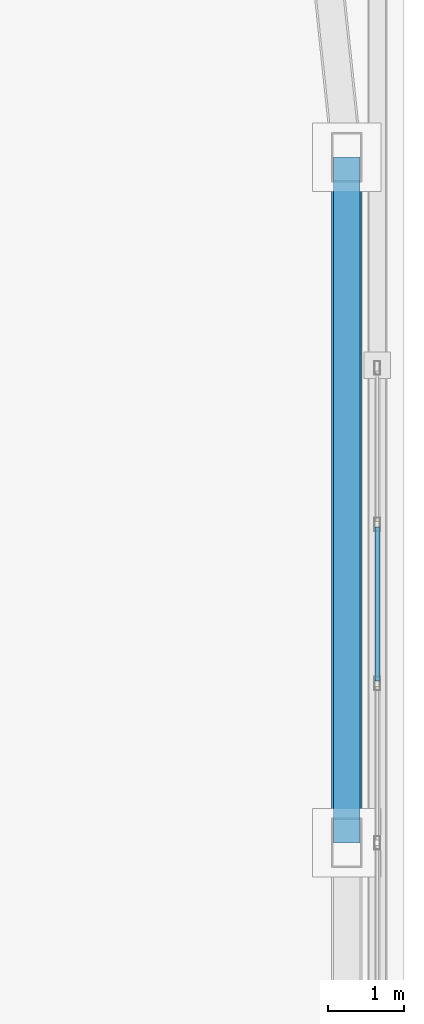
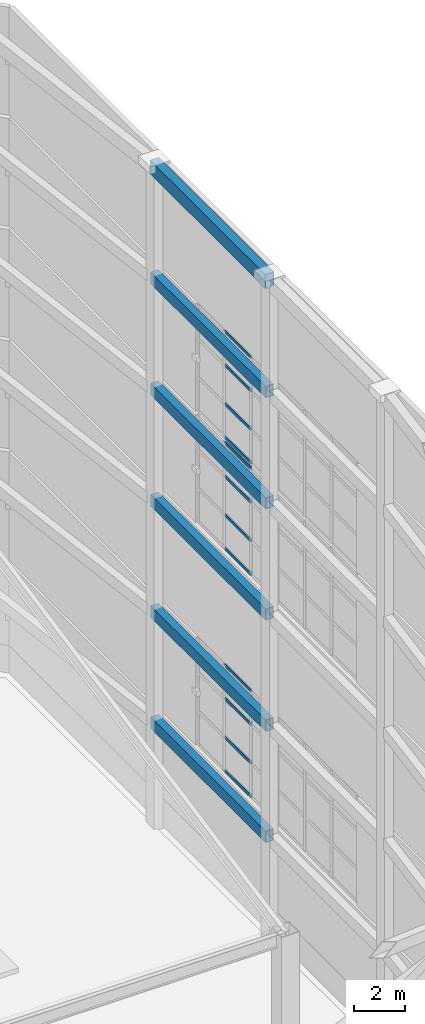
# One storey, part 37 of 47: 12 members, 6 beams, 3 elements without a shape of their own.
"""IFC4 building model written with IfcOpenShell, lengths in metres."""

from ifc_helpers import new_model, si_unit, direction, frame, origin, origin_2d, place, context, subcontext, project, spatial, hollow_rectangle, extrude, material, layer, layer_set, material_profile, profile_set, type_object, element, aggregate, save


model = new_model("IFC4")

# Units and contexts
model_context = context("Model", 3, precision=1e-05, world=origin(), true_north=direction((0.0, 1.0)))
body_context = subcontext(model_context, "Body", "Model", "MODEL_VIEW")
ifc_project = project(units=[si_unit("LENGTHUNIT", "METRE"), si_unit("AREAUNIT", "SQUARE_METRE"), si_unit("VOLUMEUNIT", "CUBIC_METRE"), si_unit("PLANEANGLEUNIT", "RADIAN"), si_unit("MASSUNIT", "GRAM", prefix="KILO")], contexts=[model_context])

# Site, building, storey
site_placement = place(None, origin())
site = spatial("IfcSite", under=ifc_project, at=site_placement, CompositionType="ELEMENT")
building_placement = place(site_placement, origin())
building = spatial("IfcBuilding", under=site, at=building_placement, Name="Qiaolan Cultural Towers", CompositionType="ELEMENT")
storey_placement = place(building_placement, frame((0.0, 0.0, 280.199951171875)))
storey = spatial("IfcBuildingStorey", under=building, at=storey_placement, Name="RF", CompositionType="ELEMENT", Elevation=280.199951171875)

# Beams
ifc_material_1 = material(Name="Steel Q355B", Category="steel")
ifc_material_profile_1 = material_profile(ifc_material_1, hollow_rectangle(XDim=0.39990234375, YDim=0.64990234375, WallThickness=0.02001953125, at=origin_2d()), Name="BOX650x400x20")
ifc_profile_set_1 = profile_set([ifc_material_profile_1], Name="Steel Q355B")
beam_type_1 = type_object("IfcBeamType", Name="BM-CROWN-FRAME-1", PredefinedType="BEAM", material=ifc_profile_set_1)
beam_placement = place(storey_placement, frame((44.64990234375, 34.0, 31.47509765625), z_axis=(0.0, 1.0, 0.0), x_axis=(-1.0, 0.0, 0.0)))
element("IfcBeam", 1, at=beam_placement, inside=storey, type_object=beam_type_1, Name="T1 Crown Frame Top Cap Ring Beam T6-6", PredefinedType="BEAM", context=body_context, shape_type="SweptSolid", body=[
    extrude(hollow_rectangle(XDim=0.39990234375, YDim=0.64990234375, WallThickness=0.02001953125, at=origin_2d()), origin(), (0.0, 0.0, 1.0), 9.0),
])
ifc_material_2 = material(Name="Steel Q355B", Category="steel")
ifc_material_profile_2 = material_profile(ifc_material_2, hollow_rectangle(XDim=0.35009765625, YDim=0.550048828125, WallThickness=0.01806640625, at=origin_2d()), Name="BOX550x350x18")
ifc_profile_set_2 = profile_set([ifc_material_profile_2], Name="Steel Q355B")
beam_type_2 = type_object("IfcBeamType", Name="BM-CROWN-FRAME-2", PredefinedType="BEAM", material=ifc_profile_set_2)
for number, where, z_axis, x_axis, name in (
    (2, (44.64990234375, 34.0, 4.97509765625), (0.0, 1.0, 0.0), (-1.0, 0.0, 0.0), "T1 Crown Frame Ring Beam T1-6"),
    (3, (44.64990234375, 34.0, 10.275146484375), (0.0, 1.0, 0.0), (-1.0, 0.0, 0.0), "T1 Crown Frame Ring Beam T2-6"),
    (4, (44.64990234375, 34.0, 15.574951171875), (0.0, 1.0, 0.0), (-1.0, 0.0, 0.0), "T1 Crown Frame Ring Beam T3-6"),
    (5, (44.64990234375, 34.0, 20.875), (0.0, 1.0, 0.0), (-1.0, 0.0, 0.0), "T1 Crown Frame Ring Beam T4-6"),
    (6, (44.64990234375, 34.0, 26.175048828125), (0.0, 1.0, 0.0), (-1.0, 0.0, 0.0), "T1 Crown Frame Ring Beam T5-6"),
):
    element("IfcBeam", number, at=place(storey_placement, frame(where, z_axis=z_axis, x_axis=x_axis)), inside=storey, type_object=beam_type_2, Name=name, PredefinedType="BEAM", context=body_context, shape_type="SweptSolid", body=[
        extrude(hollow_rectangle(XDim=0.35009765625, YDim=0.550048828125, WallThickness=0.01806640625, at=origin_2d()), origin(), (0.0, 0.0, 1.0), 9.0),
    ])

# Curtain wall, members
ifc_material_3 = material(Name="Unitized Anodized Aluminium Curtain Wall System", Category="aluminium")
ifc_layer = layer(ifc_material_3, 0.199951171875)
ifc_layer_set = layer_set([ifc_layer], Name="Unitized Anodized Aluminium Curtain Wall System")
curtain_wall_type = type_object("IfcCurtainWallType", Name="CWS-06", PredefinedType="NOTDEFINED", material=ifc_layer_set)
curtain_wall_1_placement = place(storey_placement, origin())
curtain_wall_1 = element("IfcCurtainWall", 7, at=curtain_wall_1_placement, inside=storey, type_object=curtain_wall_type, Name="T1 Crown Tier 2 Fritted Screen Curtain Wall 3", PredefinedType="NOTDEFINED")
ifc_material_4 = material(Name="Extruded Aluminium 6063-T6", Category="aluminium")
ifc_material_profile_3 = material_profile(ifc_material_4, hollow_rectangle(XDim=0.06494140625, YDim=0.14990234375, WallThickness=0.00390625, at=origin_2d()), Name="CWT-150x65x4")
ifc_profile_set_3 = profile_set([ifc_material_profile_3], Name="Extruded Aluminium 6063-T6")
member_type = type_object("IfcMemberType", Name="CWS-06-TRN", PredefinedType="USERDEFINED", material=ifc_profile_set_3)
member_1_placement = place(storey_placement, frame((45.050048828125, 36.12744140625, 5.4326171875), z_axis=(0.0, 1.0, 0.0), x_axis=(-1.0, 0.0, 0.0)))
member_1 = element("IfcMember", 8, at=member_1_placement, type_object=member_type, Name="CW-6 transom 5.1", ObjectType="TRANSOM", PredefinedType="USERDEFINED", context=body_context, shape_type="SweptSolid", body=[
    extrude(hollow_rectangle(XDim=0.06494140625, YDim=0.14990234375, WallThickness=0.00390625, at=origin_2d()), origin(), (0.0, 0.0, 1.0), 2.01513671875),
])
member_2_placement = place(storey_placement, frame((45.050048828125, 36.12744140625, 7.030029296875), z_axis=(0.0, 1.0, 0.0), x_axis=(-1.0, 0.0, 0.0)))
member_2 = element("IfcMember", 9, at=member_2_placement, type_object=member_type, Name="CW-6 transom 5.2", ObjectType="TRANSOM", PredefinedType="USERDEFINED", context=body_context, shape_type="SweptSolid", body=[
    extrude(hollow_rectangle(XDim=0.06494140625, YDim=0.14990234375, WallThickness=0.00390625, at=origin_2d()), origin(), (0.0, 0.0, 1.0), 2.01513671875),
])
member_3_placement = place(storey_placement, frame((45.050048828125, 36.12744140625, 8.8701171875), z_axis=(0.0, 1.0, 0.0), x_axis=(-1.0, 0.0, 0.0)))
member_3 = element("IfcMember", 10, at=member_3_placement, type_object=member_type, Name="CW-6 transom 5.3", ObjectType="TRANSOM", PredefinedType="USERDEFINED", context=body_context, shape_type="SweptSolid", body=[
    extrude(hollow_rectangle(XDim=0.06494140625, YDim=0.14990234375, WallThickness=0.00390625, at=origin_2d()), origin(), (0.0, 0.0, 1.0), 2.01513671875),
])
member_4_placement = place(storey_placement, frame((45.050048828125, 36.12744140625, 10.467529296875), z_axis=(0.0, 1.0, 0.0), x_axis=(-1.0, 0.0, 0.0)))
member_4 = element("IfcMember", 11, at=member_4_placement, type_object=member_type, Name="CW-6 transom 5.4", ObjectType="TRANSOM", PredefinedType="USERDEFINED", context=body_context, shape_type="SweptSolid", body=[
    extrude(hollow_rectangle(XDim=0.06494140625, YDim=0.14990234375, WallThickness=0.00390625, at=origin_2d()), origin(), (0.0, 0.0, 1.0), 2.01513671875),
])
aggregate(curtain_wall_1, [member_1, member_2, member_3, member_4])

curtain_wall_2_placement = place(storey_placement, origin())
curtain_wall_2 = element("IfcCurtainWall", 12, at=curtain_wall_2_placement, inside=storey, type_object=curtain_wall_type, Name="T1 Crown Tier 4 Fritted Screen Curtain Wall 3", PredefinedType="NOTDEFINED")
member_5_placement = place(storey_placement, frame((45.050048828125, 36.12744140625, 16.032470703125), z_axis=(0.0, 1.0, 0.0), x_axis=(-1.0, 0.0, 0.0)))
member_5 = element("IfcMember", 13, at=member_5_placement, type_object=member_type, Name="CW-6 transom 5.1", ObjectType="TRANSOM", PredefinedType="USERDEFINED", context=body_context, shape_type="SweptSolid", body=[
    extrude(hollow_rectangle(XDim=0.06494140625, YDim=0.14990234375, WallThickness=0.00390625, at=origin_2d()), origin(), (0.0, 0.0, 1.0), 2.01513671875),
])
member_6_placement = place(storey_placement, frame((45.050048828125, 36.12744140625, 17.630126953125), z_axis=(0.0, 1.0, 0.0), x_axis=(-1.0, 0.0, 0.0)))
member_6 = element("IfcMember", 14, at=member_6_placement, type_object=member_type, Name="CW-6 transom 5.2", ObjectType="TRANSOM", PredefinedType="USERDEFINED", context=body_context, shape_type="SweptSolid", body=[
    extrude(hollow_rectangle(XDim=0.06494140625, YDim=0.14990234375, WallThickness=0.00390625, at=origin_2d()), origin(), (0.0, 0.0, 1.0), 2.01513671875),
])
member_7_placement = place(storey_placement, frame((45.050048828125, 36.12744140625, 19.469970703125), z_axis=(0.0, 1.0, 0.0), x_axis=(-1.0, 0.0, 0.0)))
member_7 = element("IfcMember", 15, at=member_7_placement, type_object=member_type, Name="CW-6 transom 5.3", ObjectType="TRANSOM", PredefinedType="USERDEFINED", context=body_context, shape_type="SweptSolid", body=[
    extrude(hollow_rectangle(XDim=0.06494140625, YDim=0.14990234375, WallThickness=0.00390625, at=origin_2d()), origin(), (0.0, 0.0, 1.0), 2.01513671875),
])
member_8_placement = place(storey_placement, frame((45.050048828125, 36.12744140625, 21.067626953125), z_axis=(0.0, 1.0, 0.0), x_axis=(-1.0, 0.0, 0.0)))
member_8 = element("IfcMember", 16, at=member_8_placement, type_object=member_type, Name="CW-6 transom 5.4", ObjectType="TRANSOM", PredefinedType="USERDEFINED", context=body_context, shape_type="SweptSolid", body=[
    extrude(hollow_rectangle(XDim=0.06494140625, YDim=0.14990234375, WallThickness=0.00390625, at=origin_2d()), origin(), (0.0, 0.0, 1.0), 2.01513671875),
])
aggregate(curtain_wall_2, [member_5, member_6, member_7, member_8])

curtain_wall_3_placement = place(storey_placement, origin())
curtain_wall_3 = element("IfcCurtainWall", 17, at=curtain_wall_3_placement, inside=storey, type_object=curtain_wall_type, Name="T1 Crown Tier 5 Fritted Screen Curtain Wall 3", PredefinedType="NOTDEFINED")
member_9_placement = place(storey_placement, frame((45.050048828125, 36.12744140625, 21.33251953125), z_axis=(0.0, 1.0, 0.0), x_axis=(-1.0, 0.0, 0.0)))
member_9 = element("IfcMember", 18, at=member_9_placement, type_object=member_type, Name="CW-6 transom 5.1", ObjectType="TRANSOM", PredefinedType="USERDEFINED", context=body_context, shape_type="SweptSolid", body=[
    extrude(hollow_rectangle(XDim=0.06494140625, YDim=0.14990234375, WallThickness=0.00390625, at=origin_2d()), origin(), (0.0, 0.0, 1.0), 2.01513671875),
])
member_10_placement = place(storey_placement, frame((45.050048828125, 36.12744140625, 22.929931640625), z_axis=(0.0, 1.0, 0.0), x_axis=(-1.0, 0.0, 0.0)))
member_10 = element("IfcMember", 19, at=member_10_placement, type_object=member_type, Name="CW-6 transom 5.2", ObjectType="TRANSOM", PredefinedType="USERDEFINED", context=body_context, shape_type="SweptSolid", body=[
    extrude(hollow_rectangle(XDim=0.06494140625, YDim=0.14990234375, WallThickness=0.00390625, at=origin_2d()), origin(), (0.0, 0.0, 1.0), 2.01513671875),
])
member_11_placement = place(storey_placement, frame((45.050048828125, 36.12744140625, 24.77001953125), z_axis=(0.0, 1.0, 0.0), x_axis=(-1.0, 0.0, 0.0)))
member_11 = element("IfcMember", 20, at=member_11_placement, type_object=member_type, Name="CW-6 transom 5.3", ObjectType="TRANSOM", PredefinedType="USERDEFINED", context=body_context, shape_type="SweptSolid", body=[
    extrude(hollow_rectangle(XDim=0.06494140625, YDim=0.14990234375, WallThickness=0.00390625, at=origin_2d()), origin(), (0.0, 0.0, 1.0), 2.01513671875),
])
member_12_placement = place(storey_placement, frame((45.050048828125, 36.12744140625, 26.367431640625), z_axis=(0.0, 1.0, 0.0), x_axis=(-1.0, 0.0, 0.0)))
member_12 = element("IfcMember", 21, at=member_12_placement, type_object=member_type, Name="CW-6 transom 5.4", ObjectType="TRANSOM", PredefinedType="USERDEFINED", context=body_context, shape_type="SweptSolid", body=[
    extrude(hollow_rectangle(XDim=0.06494140625, YDim=0.14990234375, WallThickness=0.00390625, at=origin_2d()), origin(), (0.0, 0.0, 1.0), 2.01513671875),
])
aggregate(curtain_wall_3, [member_9, member_10, member_11, member_12])

save(model, "model.ifc")
